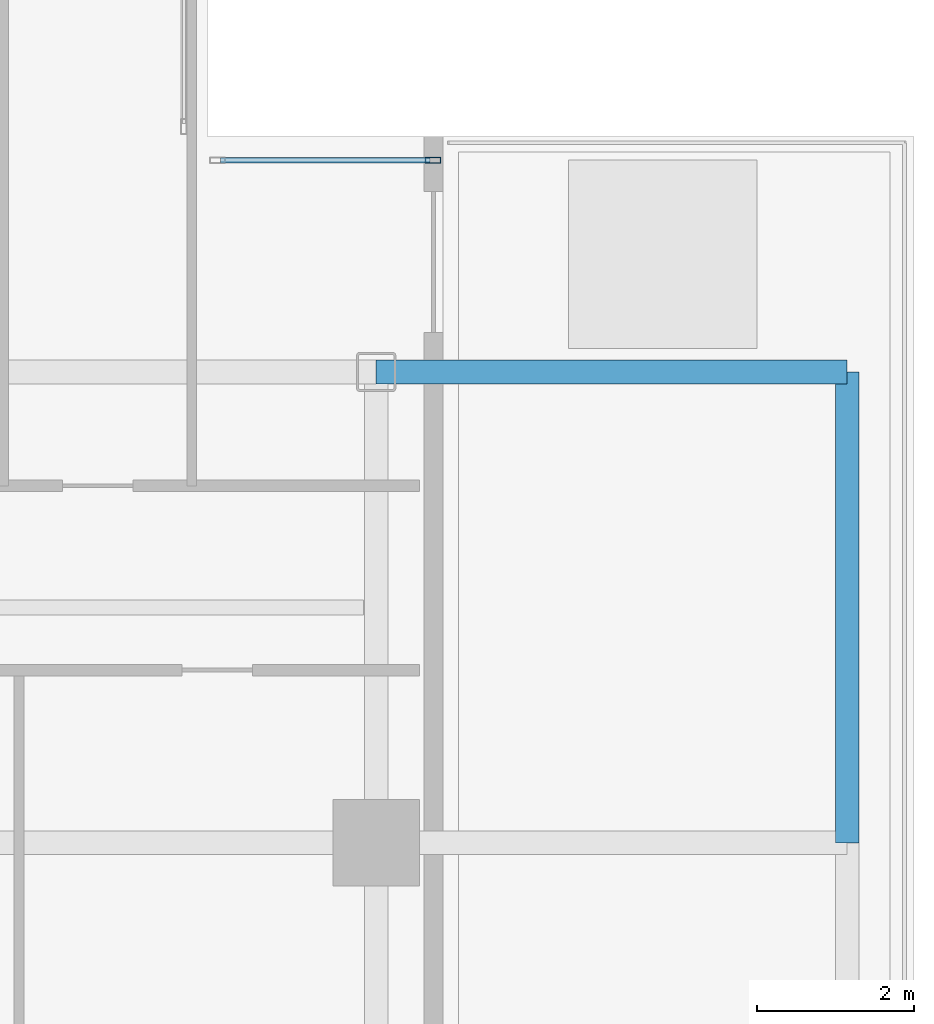
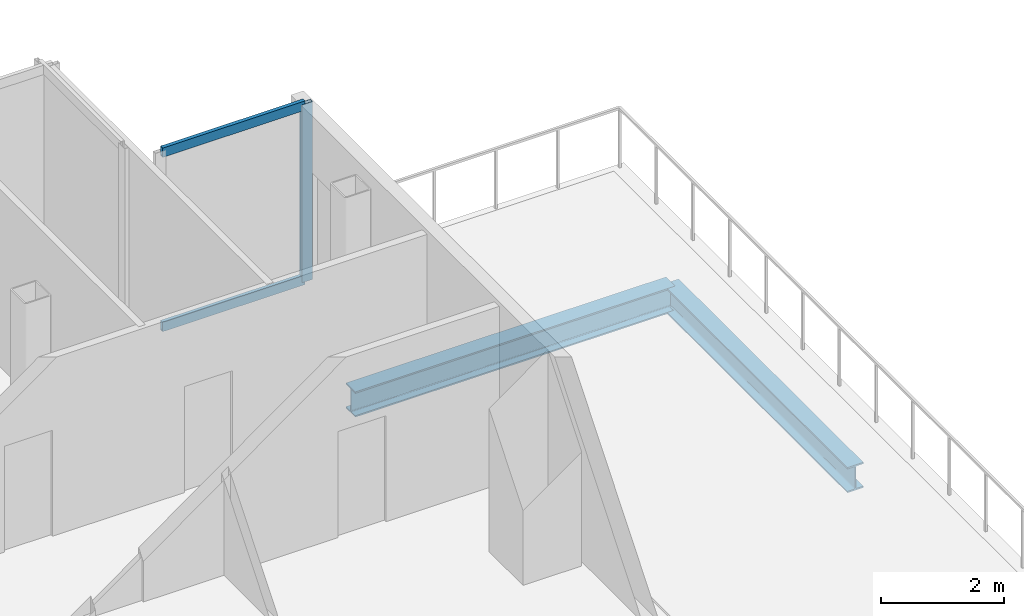
# One storey, part 14 of 26: 3 members, 2 beams, 1 element without a shape of its own.
"""IFC4 building model written with IfcOpenShell, lengths in metres."""

from ifc_helpers import new_model, si_unit, direction, frame, origin, origin_2d, place, context, subcontext, project, spatial, hollow_rectangle, i_section, extrude, material, layer, layer_set, material_profile, profile_set, type_object, element, aggregate, save


model = new_model("IFC4")

# Units and contexts
model_context = context("Model", 3, precision=1e-05, world=origin(), true_north=direction((0.0, 1.0)))
body_context = subcontext(model_context, "Body", "Model", "MODEL_VIEW")
ifc_project = project(units=[si_unit("LENGTHUNIT", "METRE"), si_unit("AREAUNIT", "SQUARE_METRE"), si_unit("VOLUMEUNIT", "CUBIC_METRE"), si_unit("PLANEANGLEUNIT", "RADIAN"), si_unit("MASSUNIT", "GRAM", prefix="KILO"), si_unit("THERMODYNAMICTEMPERATUREUNIT", "KELVIN"), si_unit("POWERUNIT", "WATT")], contexts=[model_context])

# Site, building, storey
site_placement = place(None, origin())
site = spatial("IfcSite", under=ifc_project, at=site_placement, CompositionType="ELEMENT")
building_placement = place(site_placement, origin())
building = spatial("IfcBuilding", under=site, at=building_placement, Name="Svarakhadi Broadcast Tower", CompositionType="ELEMENT")
storey_placement = place(building_placement, frame((0.0, 0.0, 99.60009765625)))
storey = spatial("IfcBuildingStorey", under=building, at=storey_placement, Name="L23", CompositionType="ELEMENT", Elevation=99.60009765625)

# Curtain wall, members
ifc_material_1 = material(Name="Anodised Bronze Aluminium AA 6063-T6", Category="aluminium")
ifc_layer = layer(ifc_material_1, 0.199951171875)
ifc_layer_set = layer_set([ifc_layer], Name="Anodised Bronze Aluminium AA 6063-T6")
curtain_wall_type = type_object("IfcCurtainWallType", Name="CW_Sys_03", PredefinedType="NOTDEFINED", material=ifc_layer_set)
curtain_wall_placement = place(storey_placement, origin())
curtain_wall = element("IfcCurtainWall", 1, at=curtain_wall_placement, inside=storey, type_object=curtain_wall_type, Name="L23 Unitised Facade Curtain Wall 11", PredefinedType="NOTDEFINED")
ifc_material_profile_1 = material_profile(ifc_material_1, hollow_rectangle(XDim=0.074951171875, YDim=0.199951171875, WallThickness=0.005615234375, at=origin_2d()), Name="ALU MULLION 200x75x6")
ifc_profile_set_1 = profile_set([ifc_material_profile_1], Name="Anodised Bronze Aluminium AA 6063-T6")
member_type_1 = type_object("IfcMemberType", Name="CW_Sys_03_Mul", PredefinedType="MULLION", material=ifc_profile_set_1)
member_1_placement = place(storey_placement, frame((47.87255859375, 20.699951171875, 0.0), z_axis=(0.0, 0.0, 1.0), x_axis=(0.0, 1.0, 0.0)))
member_1 = element("IfcMember", 2, at=member_1_placement, type_object=member_type_1, Name="CW-03 mullion 2", PredefinedType="MULLION", context=body_context, shape_type="SweptSolid", body=[
    extrude(hollow_rectangle(XDim=0.074951171875, YDim=0.199951171875, WallThickness=0.005615234375, at=origin_2d()), origin(), (0.0, 0.0, 1.0), 3.52490234375),
])
ifc_material_profile_2 = material_profile(ifc_material_1, hollow_rectangle(XDim=0.070068359375, YDim=0.18505859375, WallThickness=0.0048828125, at=origin_2d()), Name="ALU TRANSOM 185x70x5")
ifc_profile_set_2 = profile_set([ifc_material_profile_2], Name="Anodised Bronze Aluminium AA 6063-T6")
member_type_2 = type_object("IfcMemberType", Name="CW_Sys_03_Trn", PredefinedType="USERDEFINED", material=ifc_profile_set_2)
member_2_placement = place(storey_placement, frame((45.1650390625, 20.699951171875, 0.034912109375), z_axis=(1.0, 0.0, 0.0), x_axis=(0.0, 1.0, 0.0)))
member_2 = element("IfcMember", 3, at=member_2_placement, type_object=member_type_2, Name="CW-03 transom 1.1", ObjectType="TRANSOM", PredefinedType="USERDEFINED", context=body_context, shape_type="SweptSolid", body=[
    extrude(hollow_rectangle(XDim=0.070068359375, YDim=0.18505859375, WallThickness=0.0048828125, at=origin_2d()), origin(), (0.0, 0.0, 1.0), 2.669921875),
])
member_3_placement = place(storey_placement, frame((45.1650390625, 20.699951171875, 3.489990234375), z_axis=(1.0, 0.0, 0.0), x_axis=(0.0, 1.0, 0.0)))
member_3 = element("IfcMember", 4, at=member_3_placement, type_object=member_type_2, Name="CW-03 transom 1.2", ObjectType="TRANSOM", PredefinedType="USERDEFINED", context=body_context, shape_type="SweptSolid", body=[
    extrude(hollow_rectangle(XDim=0.070068359375, YDim=0.18505859375, WallThickness=0.0048828125, at=origin_2d()), origin(), (0.0, 0.0, 1.0), 2.669921875),
])
aggregate(curtain_wall, [member_1, member_2, member_3])

# Beams
ifc_material_2 = material(Name="Steel S355J2 (IS 2062 E350C)", Category="steel")
ifc_material_profile_3 = material_profile(ifc_material_2, i_section(OverallWidth=0.300048828125, OverallDepth=0.5, WebThickness=0.014404296875, FlangeThickness=0.028076171875, FilletRadius=0.027099609375, at=origin_2d()), Name="WPB 500x300x187")
ifc_profile_set_3 = profile_set([ifc_material_profile_3], Name="Steel S355J2 (IS 2062 E350C)")
beam_type = type_object("IfcBeamType", Name="Girder_WPB500", PredefinedType="USERDEFINED", material=ifc_profile_set_3)
for number, where, z_axis, x_axis, name in (
    (5, (47.14990234375, 18.0, -0.489990234375), (1.0, 0.0, 0.0), (0.0, 1.0, 0.0), "L23 East Setback Terrace Bearer Girder"),
    (6, (53.14990234375, 12.0, -0.489990234375), (0.0, 1.0, 0.0), (-1.0, 0.0, 0.0), "L23 East Setback Terrace Rim Girder 2"),
):
    element("IfcBeam", number, at=place(storey_placement, frame(where, z_axis=z_axis, x_axis=x_axis)), inside=storey, type_object=beam_type, Name=name, ObjectType="GIRDER", PredefinedType="USERDEFINED", context=body_context, shape_type="SweptSolid", body=[
        extrude(i_section(OverallWidth=0.300048828125, OverallDepth=0.5, WebThickness=0.014404296875, FlangeThickness=0.028076171875, FilletRadius=0.027099609375, at=origin_2d()), origin(), (0.0, 0.0, 1.0), 6.0),
    ])

save(model, "model.ifc")
